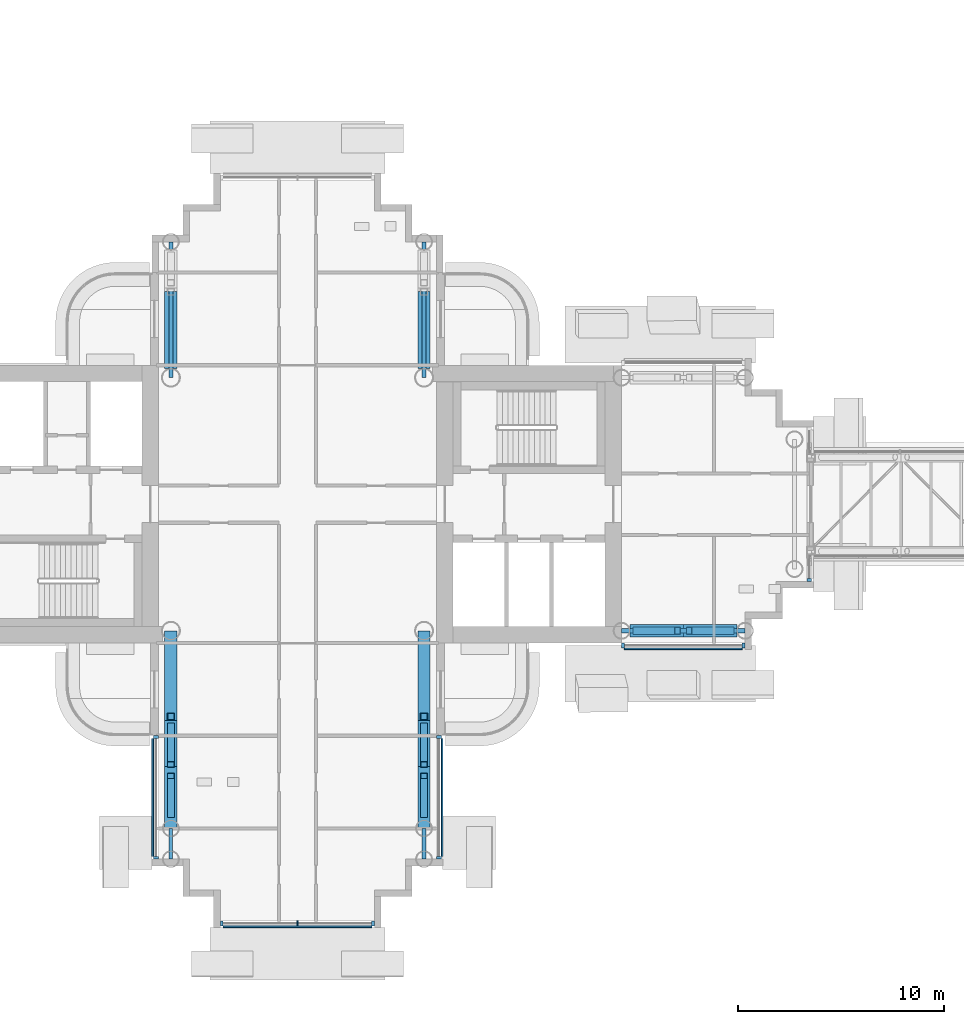
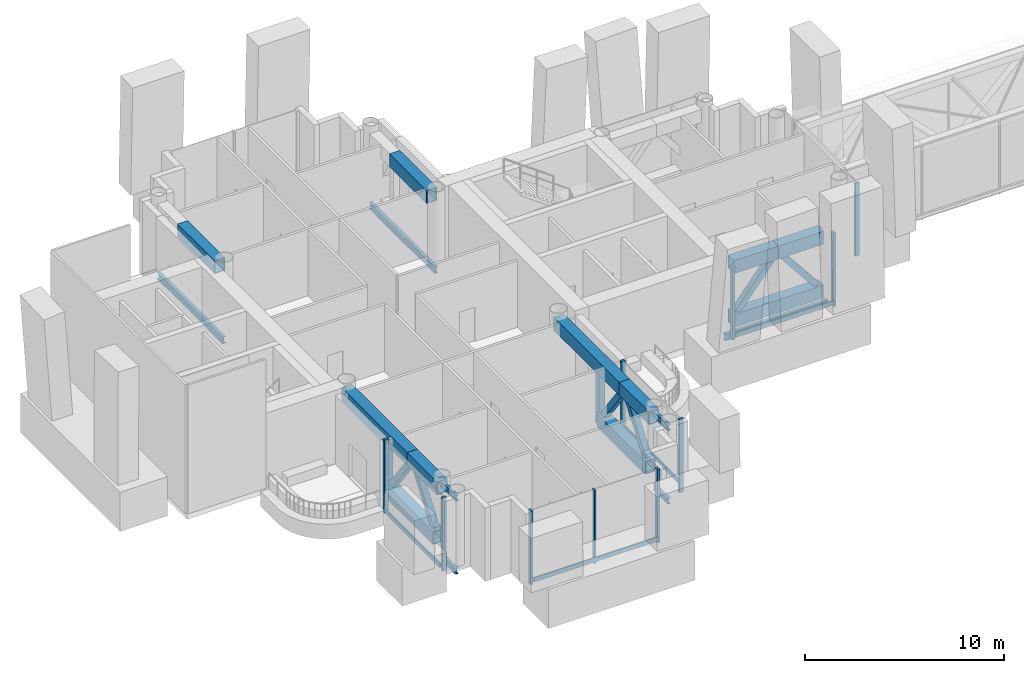
# One storey, part 3 of 26: 29 members, 11 beams, 5 elements without a shape of their own.
"""IFC4 building model written with IfcOpenShell, lengths in metres."""

from ifc_helpers import new_model, si_unit, direction, frame, origin, origin_2d, place, context, subcontext, project, spatial, rectangle, hollow_rectangle, i_section, extrude, material, layer, layer_set, material_profile, profile_set, type_object, element, aggregate, save


model = new_model("IFC4")

# Units and contexts
model_context = context("Model", 3, precision=1e-05, world=origin(), true_north=direction((0.0, 1.0)))
body_context = subcontext(model_context, "Body", "Model", "MODEL_VIEW")
ifc_project = project(units=[si_unit("LENGTHUNIT", "METRE"), si_unit("AREAUNIT", "SQUARE_METRE"), si_unit("VOLUMEUNIT", "CUBIC_METRE"), si_unit("PLANEANGLEUNIT", "RADIAN"), si_unit("MASSUNIT", "GRAM", prefix="KILO")], contexts=[model_context])

# Site, building, storey
site_placement = place(None, origin())
site = spatial("IfcSite", under=ifc_project, at=site_placement, CompositionType="ELEMENT")
building_placement = place(site_placement, origin())
building = spatial("IfcBuilding", under=site, at=building_placement, Name="Ipe Terrace Towers", CompositionType="ELEMENT")
storey_placement = place(building_placement, frame((0.0, 0.0, 181.300048828125)))
storey = spatial("IfcBuildingStorey", under=building, at=storey_placement, Name="L50", CompositionType="ELEMENT", Elevation=181.300048828125)

# Beams
ifc_material_1 = material(Name="Steel S355", Category="steel")
ifc_material_profile_1 = material_profile(ifc_material_1, i_section(OverallWidth=0.175048828125, OverallDepth=0.35009765625, WebThickness=0.007080078125, FlangeThickness=0.010986328125, at=origin_2d()), Name="H-350x175x7x11")
ifc_profile_set_1 = profile_set([ifc_material_profile_1], Name="Steel S355")
beam_type_1 = type_object("IfcBeamType", Name="H04 DECK EDGE BEAM H-350x175x7x11", PredefinedType="BEAM", material=ifc_profile_set_1)
for number, where, z_axis, x_axis, name in (
    (1, (-42.14990234375, -15.75, 3.905029296875), (0.0, -1.0, 0.0), (1.0, 0.0, 0.0), "Deck edge beam T1-TB-D03-D05"),
    (2, (-29.85009765625, -15.75, 3.905029296875), (0.0, -1.0, 0.0), (1.0, 0.0, 0.0), "Deck edge beam T1-TB-D04-D06"),
):
    element("IfcBeam", number, at=place(storey_placement, frame(where, z_axis=z_axis, x_axis=x_axis)), inside=storey, type_object=beam_type_1, Name=name, PredefinedType="BEAM", context=body_context, shape_type="SweptSolid", body=[
        extrude(i_section(OverallWidth=0.175048828125, OverallDepth=0.35009765625, WebThickness=0.007080078125, FlangeThickness=0.010986328125, at=origin_2d()), origin(), (0.0, 0.0, 1.0), 1.5),
    ])
ifc_material_2 = material(Name="Steel S355", Category="steel")
ifc_material_profile_2 = material_profile(ifc_material_2, i_section(OverallWidth=0.175048828125, OverallDepth=0.35009765625, WebThickness=0.007080078125, FlangeThickness=0.010986328125, at=origin_2d()), Name="H-350x175x7x11")
ifc_profile_set_2 = profile_set([ifc_material_profile_2], Name="Steel S355")
beam_type_2 = type_object("IfcBeamType", Name="H04 EDGE BEAM H-350x175x7x11", PredefinedType="BEAM", material=ifc_profile_set_2)
for number, where, z_axis, x_axis, name in (
    (3, (-42.14990234375, -15.75, -0.574951171875), (0.0, -1.0, 0.0), (1.0, 0.0, 0.0), "Edge beam T1-EB-D03-D05"),
    (4, (-29.85009765625, -15.75, -0.574951171875), (0.0, -1.0, 0.0), (1.0, 0.0, 0.0), "Edge beam T1-EB-D04-D06"),
):
    element("IfcBeam", number, at=place(storey_placement, frame(where, z_axis=z_axis, x_axis=x_axis)), inside=storey, type_object=beam_type_2, Name=name, PredefinedType="BEAM", context=body_context, shape_type="SweptSolid", body=[
        extrude(i_section(OverallWidth=0.175048828125, OverallDepth=0.35009765625, WebThickness=0.007080078125, FlangeThickness=0.010986328125, at=origin_2d()), origin(), (0.0, 0.0, 1.0), 1.5),
    ])
ifc_material_3 = material(Name="Steel S355", Category="steel")
ifc_material_profile_3 = material_profile(ifc_material_3, i_section(OverallWidth=0.199951171875, OverallDepth=0.39990234375, WebThickness=0.008056640625, FlangeThickness=0.012939453125, at=origin_2d()), Name="H-400x200x8x13")
ifc_profile_set_3 = profile_set([ifc_material_profile_3], Name="Steel S355")
beam_type_3 = type_object("IfcBeamType", Name="H06 EDGE BEAM H-400x200x8x13", PredefinedType="BEAM", material=ifc_profile_set_3)
beam_1_placement = place(storey_placement, frame((-20.25, -6.14990234375, -0.60009765625), z_axis=(1.0, 0.0, 0.0), x_axis=(0.0, 1.0, 0.0)))
element("IfcBeam", 5, at=beam_1_placement, inside=storey, type_object=beam_type_3, Name="Edge beam T1-EB-A01-A03", PredefinedType="BEAM", context=body_context, shape_type="SweptSolid", body=[
    extrude(i_section(OverallWidth=0.199951171875, OverallDepth=0.39990234375, WebThickness=0.008056640625, FlangeThickness=0.012939453125, at=origin_2d()), origin(), (0.0, 0.0, 1.0), 6.0),
])
for number, where, z_axis, x_axis, name in (
    (6, (-29.85009765625, 12.75, -0.60009765625), (0.0, -1.0, 0.0), (1.0, 0.0, 0.0), "Edge beam T1-EB-B01-E03"),
    (7, (-42.14990234375, 12.75, -0.60009765625), (0.0, -1.0, 0.0), (1.0, 0.0, 0.0), "Edge beam T1-EB-B02-E04"),
):
    element("IfcBeam", number, at=place(storey_placement, frame(where, z_axis=z_axis, x_axis=x_axis)), inside=storey, type_object=beam_type_3, Name=name, PredefinedType="BEAM", context=body_context, shape_type="SweptSolid", body=[
        extrude(i_section(OverallWidth=0.199951171875, OverallDepth=0.39990234375, WebThickness=0.008056640625, FlangeThickness=0.012939453125, at=origin_2d()), origin(), (0.0, 0.0, 1.0), 6.60009765625),
    ])

# Members
ifc_material_4 = material(Name="Steel S355", Category="steel")
ifc_material_profile_4 = material_profile(ifc_material_4, hollow_rectangle(XDim=0.35009765625, YDim=0.35009765625, WallThickness=0.02001953125, at=origin_2d()), Name="OUTRIGGER-BRACE BOX 350x350x20")
ifc_profile_set_4 = profile_set([ifc_material_profile_4], Name="Steel S355")
member_type_1 = type_object("IfcMemberType", Name="OUTRIGGER-BRACE BOX 350x350x20", PredefinedType="BRACE", material=ifc_profile_set_4)
for number, where, z_axis, x_axis, name in (
    (8, (-19.568115234375, -6.14990234375, 0.780029296875), (0.62546299245, 0.0, 0.780253833746), (0.0, 1.0, 0.0), "T1-OR-L50-233 diagonal"),
    (9, (-14.931884765625, -6.14990234375, 0.780029296875), (-0.62546299245, 0.0, 0.780253833746), (0.0, -1.0, 0.0), "T1-OR-L50-234 diagonal"),
):
    element("IfcMember", number, at=place(storey_placement, frame(where, z_axis=z_axis, x_axis=x_axis)), inside=storey, type_object=member_type_1, Name=name, PredefinedType="BRACE", context=body_context, shape_type="SweptSolid", body=[
        extrude(hollow_rectangle(XDim=0.35009765625, YDim=0.35009765625, WallThickness=0.02001953125, at=origin_2d()), origin(), (0.0, 0.0, 1.0), 3.25537109375),
    ])
for number, where, z_axis, x_axis, name in (
    (10, (-29.85009765625, -10.77490234375, 0.780029296875), (0.0, -0.593895203559, 0.804542408571), (1.0, 0.0, 0.0), "T1-OR-L50-248 diagonal"),
    (11, (-29.85009765625, -15.074951171875, 0.780029296875), (0.0, 0.593895203559, 0.804542408571), (-1.0, 0.0, 0.0), "T1-OR-L50-249 diagonal"),
    (12, (-42.14990234375, -10.77490234375, 0.780029296875), (0.0, -0.593895203559, 0.804542408571), (1.0, 0.0, 0.0), "T1-OR-L50-252 diagonal"),
    (13, (-42.14990234375, -15.074951171875, 0.780029296875), (0.0, 0.593895203559, 0.804542408571), (-1.0, 0.0, 0.0), "T1-OR-L50-253 diagonal"),
):
    element("IfcMember", number, at=place(storey_placement, frame(where, z_axis=z_axis, x_axis=x_axis)), inside=storey, type_object=member_type_1, Name=name, PredefinedType="BRACE", context=body_context, shape_type="SweptSolid", body=[
        extrude(hollow_rectangle(XDim=0.35009765625, YDim=0.35009765625, WallThickness=0.02001953125, at=origin_2d()), origin(), (0.0, 0.0, 1.0), 3.1572265625),
    ])
ifc_material_5 = material(Name="Steel S355", Category="steel")
ifc_material_profile_5 = material_profile(ifc_material_5, hollow_rectangle(XDim=0.60009765625, YDim=0.800048828125, WallThickness=0.0400390625, at=origin_2d()), Name="OUTRIGGER-CHORD BOX 600x800x40")
ifc_profile_set_5 = profile_set([ifc_material_profile_5], Name="Steel S355")
member_type_2 = type_object("IfcMemberType", Name="OUTRIGGER-CHORD BOX 600x800x40", PredefinedType="CHORD", material=ifc_profile_set_5)
member_1_placement = place(storey_placement, frame((-19.85009765625, -6.14990234375, 0.39990234375), z_axis=(1.0, 0.0, 0.0), x_axis=(0.0, 1.0, 0.0)))
element("IfcMember", 14, at=member_1_placement, inside=storey, type_object=member_type_2, Name="T1-OR-L50-232 bottom chord", PredefinedType="CHORD", context=body_context, shape_type="SweptSolid", body=[
    extrude(hollow_rectangle(XDim=0.60009765625, YDim=0.800048828125, WallThickness=0.0400390625, at=origin_2d()), origin(), (0.0, 0.0, 1.0), 5.2001953125),
])
for number, where, z_axis, x_axis, name in (
    (15, (-19.85009765625, -6.14990234375, 3.699951171875), (1.0, 0.0, 0.0), (0.0, 1.0, 0.0), "T1-OR-L50-235 top chord"),
    (16, (-17.25, -6.14990234375, 3.699951171875), (1.0, 0.0, 0.0), (0.0, 1.0, 0.0), "T1-OR-L50-236 top chord"),
):
    element("IfcMember", number, at=place(storey_placement, frame(where, z_axis=z_axis, x_axis=x_axis)), inside=storey, type_object=member_type_2, Name=name, PredefinedType="CHORD", context=body_context, shape_type="SweptSolid", body=[
        extrude(hollow_rectangle(XDim=0.60009765625, YDim=0.800048828125, WallThickness=0.0400390625, at=origin_2d()), origin(), (0.0, 0.0, 1.0), 2.60009765625),
    ])
for number, where, z_axis, x_axis, name in (
    (17, (-42.14990234375, 6.60009765625, 3.699951171875), (0.0, 1.0, 0.0), (-1.0, 0.0, 0.0), "T1-OR-L50-240 top chord"),
    (18, (-29.85009765625, 6.60009765625, 3.699951171875), (0.0, 1.0, 0.0), (-1.0, 0.0, 0.0), "T1-OR-L50-245 top chord"),
):
    element("IfcMember", number, at=place(storey_placement, frame(where, z_axis=z_axis, x_axis=x_axis)), inside=storey, type_object=member_type_2, Name=name, PredefinedType="CHORD", context=body_context, shape_type="SweptSolid", body=[
        extrude(hollow_rectangle(XDim=0.60009765625, YDim=0.800048828125, WallThickness=0.0400390625, at=origin_2d()), origin(), (0.0, 0.0, 1.0), 3.724853515625),
    ])
for number, where, z_axis, x_axis, name in (
    (19, (-29.85009765625, -10.5, 0.39990234375), (0.0, -1.0, 0.0), (1.0, 0.0, 0.0), "T1-OR-L50-247 bottom chord"),
    (20, (-42.14990234375, -10.5, 0.39990234375), (0.0, -1.0, 0.0), (1.0, 0.0, 0.0), "T1-OR-L50-251 bottom chord"),
):
    element("IfcMember", number, at=place(storey_placement, frame(where, z_axis=z_axis, x_axis=x_axis)), inside=storey, type_object=member_type_2, Name=name, PredefinedType="CHORD", context=body_context, shape_type="SweptSolid", body=[
        extrude(hollow_rectangle(XDim=0.60009765625, YDim=0.800048828125, WallThickness=0.0400390625, at=origin_2d()), origin(), (0.0, 0.0, 1.0), 4.85009765625),
    ])
ifc_material_6 = material(Name="Steel S355", Category="steel")
ifc_material_profile_6 = material_profile(ifc_material_6, hollow_rectangle(XDim=0.35009765625, YDim=0.35009765625, WallThickness=0.02001953125, at=origin_2d()), Name="OUTRIGGER-POST BOX 350x350x20")
ifc_profile_set_6 = profile_set([ifc_material_profile_6], Name="Steel S355")
member_type_3 = type_object("IfcMemberType", Name="OUTRIGGER-POST BOX 350x350x20", PredefinedType="POST", material=ifc_profile_set_6)
for number, where, z_axis, x_axis, name in (
    (21, (-29.85009765625, -10.324951171875, 0.0), (0.0, 0.0, 1.0), (1.0, 0.0, 0.0), "T1-OR-L50-250 post"),
    (22, (-42.14990234375, -10.324951171875, 0.0), (0.0, 0.0, 1.0), (1.0, 0.0, 0.0), "T1-OR-L50-254 post"),
):
    element("IfcMember", number, at=place(storey_placement, frame(where, z_axis=z_axis, x_axis=x_axis)), inside=storey, type_object=member_type_3, Name=name, PredefinedType="POST", context=body_context, shape_type="SweptSolid", body=[
        extrude(hollow_rectangle(XDim=0.35009765625, YDim=0.35009765625, WallThickness=0.02001953125, at=origin_2d()), origin(), (0.0, 0.0, 1.0), 3.300048828125),
    ])

# Curtain wall, members
ifc_material_7 = material(Name="Aluminium alloy 6063-T6", Category="aluminium")
ifc_layer = layer(ifc_material_7, 0.320068359375)
ifc_layer_set = layer_set([ifc_layer], Name="REFUGE FLOOR CURTAIN WALL")
curtain_wall_type = type_object("IfcCurtainWallType", Name="REFUGE FLOOR CURTAIN WALL", PredefinedType="NOTDEFINED", material=ifc_layer_set)
curtain_wall_1_placement = place(storey_placement, origin())
curtain_wall_1 = element("IfcCurtainWall", 23, at=curtain_wall_1_placement, inside=storey, type_object=curtain_wall_type, Name="T1-CW-L50-03a curtain wall", PredefinedType="NOTDEFINED")
ifc_material_8 = material(Name="Aluminium alloy 6063-T6", Category="aluminium")
ifc_material_profile_7 = material_profile(ifc_material_8, rectangle(XDim=0.239990234375, YDim=0.139892578125, at=origin_2d()), Name="REFUGE FLOOR CORNER MULLION 240 x 140")
ifc_profile_set_7 = profile_set([ifc_material_profile_7], Name="Aluminium alloy 6063-T6")
member_type_4 = type_object("IfcMemberType", Name="REFUGE FLOOR CORNER MULLION 240 x 140", PredefinedType="MULLION", material=ifc_profile_set_7)
member_2_placement = place(storey_placement, frame((-42.8701171875, -11.320068359375, -0.300048828125), z_axis=(0.0, 0.0, 1.0), x_axis=(-1.0, 0.0, 0.0)))
member_2 = element("IfcMember", 24, at=member_2_placement, type_object=member_type_4, Name="T1-CW-L50-03a mullion 1", PredefinedType="MULLION", context=body_context, shape_type="SweptSolid", body=[
    extrude(rectangle(XDim=0.239990234375, YDim=0.139892578125, at=origin_2d()), origin(), (0.0, 0.0, 1.0), 4.5),
])
member_3_placement = place(storey_placement, frame((-42.8701171875, -17.179931640625, -0.300048828125), z_axis=(0.0, 0.0, 1.0), x_axis=(-1.0, 0.0, 0.0)))
member_3 = element("IfcMember", 25, at=member_3_placement, type_object=member_type_4, Name="T1-CW-L50-03a mullion 2", PredefinedType="MULLION", context=body_context, shape_type="SweptSolid", body=[
    extrude(rectangle(XDim=0.239990234375, YDim=0.139892578125, at=origin_2d()), origin(), (0.0, 0.0, 1.0), 4.5),
])

curtain_wall_2_placement = place(storey_placement, origin())
curtain_wall_2 = element("IfcCurtainWall", 26, at=curtain_wall_2_placement, inside=storey, type_object=curtain_wall_type, Name="T1-CW-L50-08a curtain wall", PredefinedType="NOTDEFINED")
member_4_placement = place(storey_placement, frame((-39.679931640625, -20.3701171875, -0.300048828125), z_axis=(0.0, 0.0, 1.0), x_axis=(0.0, -1.0, 0.0)))
member_4 = element("IfcMember", 27, at=member_4_placement, type_object=member_type_4, Name="T1-CW-L50-08a mullion 1", PredefinedType="MULLION", context=body_context, shape_type="SweptSolid", body=[
    extrude(rectangle(XDim=0.239990234375, YDim=0.139892578125, at=origin_2d()), origin(), (0.0, 0.0, 1.0), 4.5),
])
member_5_placement = place(storey_placement, frame((-32.320068359375, -20.3701171875, -0.300048828125), z_axis=(0.0, 0.0, 1.0), x_axis=(0.0, -1.0, 0.0)))
member_5 = element("IfcMember", 28, at=member_5_placement, type_object=member_type_4, Name="T1-CW-L50-08a mullion 3", PredefinedType="MULLION", context=body_context, shape_type="SweptSolid", body=[
    extrude(rectangle(XDim=0.239990234375, YDim=0.139892578125, at=origin_2d()), origin(), (0.0, 0.0, 1.0), 4.5),
])

curtain_wall_3_placement = place(storey_placement, origin())
curtain_wall_3 = element("IfcCurtainWall", 29, at=curtain_wall_3_placement, inside=storey, type_object=curtain_wall_type, Name="T1-CW-L50-13a curtain wall", PredefinedType="NOTDEFINED")
member_6_placement = place(storey_placement, frame((-29.1298828125, -17.179931640625, -0.300048828125), z_axis=(0.0, 0.0, 1.0), x_axis=(1.0, 0.0, 0.0)))
member_6 = element("IfcMember", 30, at=member_6_placement, type_object=member_type_4, Name="T1-CW-L50-13a mullion 1", PredefinedType="MULLION", context=body_context, shape_type="SweptSolid", body=[
    extrude(rectangle(XDim=0.239990234375, YDim=0.139892578125, at=origin_2d()), origin(), (0.0, 0.0, 1.0), 4.5),
])
member_7_placement = place(storey_placement, frame((-29.1298828125, -11.320068359375, -0.300048828125), z_axis=(0.0, 0.0, 1.0), x_axis=(1.0, 0.0, 0.0)))
member_7 = element("IfcMember", 31, at=member_7_placement, type_object=member_type_4, Name="T1-CW-L50-13a mullion 2", PredefinedType="MULLION", context=body_context, shape_type="SweptSolid", body=[
    extrude(rectangle(XDim=0.239990234375, YDim=0.139892578125, at=origin_2d()), origin(), (0.0, 0.0, 1.0), 4.5),
])

curtain_wall_4_placement = place(storey_placement, origin())
curtain_wall_4 = element("IfcCurtainWall", 32, at=curtain_wall_4_placement, inside=storey, type_object=curtain_wall_type, Name="T1-CW-L50-16b curtain wall", PredefinedType="NOTDEFINED")
member_8_placement = place(storey_placement, frame((-20.178955078125, -6.8701171875, -0.300048828125), z_axis=(0.0, 0.0, 1.0), x_axis=(0.0, -1.0, 0.0)))
member_8 = element("IfcMember", 33, at=member_8_placement, type_object=member_type_4, Name="T1-CW-L50-16b mullion 1", PredefinedType="MULLION", context=body_context, shape_type="SweptSolid", body=[
    extrude(rectangle(XDim=0.239990234375, YDim=0.139892578125, at=origin_2d()), origin(), (0.0, 0.0, 1.0), 4.5),
])
member_9_placement = place(storey_placement, frame((-14.320068359375, -6.8701171875, -0.300048828125), z_axis=(0.0, 0.0, 1.0), x_axis=(0.0, -1.0, 0.0)))
member_9 = element("IfcMember", 34, at=member_9_placement, type_object=member_type_4, Name="T1-CW-L50-16b mullion 2", PredefinedType="MULLION", context=body_context, shape_type="SweptSolid", body=[
    extrude(rectangle(XDim=0.239990234375, YDim=0.139892578125, at=origin_2d()), origin(), (0.0, 0.0, 1.0), 4.5),
])

# Curtain wall, member
curtain_wall_5_placement = place(storey_placement, origin())
curtain_wall_5 = element("IfcCurtainWall", 35, at=curtain_wall_5_placement, inside=storey, type_object=curtain_wall_type, Name="T1-CW-L50-21a curtain wall", PredefinedType="NOTDEFINED")
member_10_placement = place(storey_placement, frame((-11.1298828125, -3.679931640625, -0.300048828125), z_axis=(0.0, 0.0, 1.0), x_axis=(1.0, 0.0, 0.0)))
member_10 = element("IfcMember", 36, at=member_10_placement, type_object=member_type_4, Name="T1-CW-L50-21a mullion 1", PredefinedType="MULLION", context=body_context, shape_type="SweptSolid", body=[
    extrude(rectangle(XDim=0.239990234375, YDim=0.139892578125, at=origin_2d()), origin(), (0.0, 0.0, 1.0), 4.5),
])
aggregate(curtain_wall_5, [member_10])

# Member
ifc_material_9 = material(Name="Aluminium alloy 6063-T6", Category="aluminium")
ifc_material_profile_8 = material_profile(ifc_material_9, rectangle(XDim=0.239990234375, YDim=0.074951171875, at=origin_2d()), Name="REFUGE FLOOR MULLION 240 x 75")
ifc_profile_set_8 = profile_set([ifc_material_profile_8], Name="Aluminium alloy 6063-T6")
member_type_5 = type_object("IfcMemberType", Name="REFUGE FLOOR MULLION 240 x 75", PredefinedType="MULLION", material=ifc_profile_set_8)
member_11_placement = place(storey_placement, frame((-36.0, -20.3701171875, -0.300048828125), z_axis=(0.0, 0.0, 1.0), x_axis=(0.0, -1.0, 0.0)))
member_11 = element("IfcMember", 37, at=member_11_placement, type_object=member_type_5, Name="T1-CW-L50-08a mullion 2", PredefinedType="MULLION", context=body_context, shape_type="SweptSolid", body=[
    extrude(rectangle(XDim=0.239990234375, YDim=0.074951171875, at=origin_2d()), origin(), (0.0, 0.0, 1.0), 4.5),
])

ifc_material_10 = material(Name="Aluminium alloy 6063-T6", Category="aluminium")
ifc_material_profile_9 = material_profile(ifc_material_10, rectangle(XDim=0.080078125, YDim=0.260009765625, at=origin_2d()), Name="REFUGE FLOOR TRANSOM 80 x 260")
ifc_profile_set_9 = profile_set([ifc_material_profile_9], Name="Aluminium alloy 6063-T6")
member_type_6 = type_object("IfcMemberType", Name="REFUGE FLOOR TRANSOM 80 x 260", PredefinedType="USERDEFINED", material=ifc_profile_set_9)
member_12_placement = place(storey_placement, frame((-43.030029296875, -11.389892578125, 0.0), z_axis=(0.0, -1.0, 0.0), x_axis=(-1.0, 0.0, 0.0)))
member_12 = element("IfcMember", 38, at=member_12_placement, type_object=member_type_6, Name="T1-CW-L50-03a transom", ObjectType="TRANSOM", PredefinedType="USERDEFINED", context=body_context, shape_type="SweptSolid", body=[
    extrude(rectangle(XDim=0.080078125, YDim=0.260009765625, at=origin_2d()), origin(), (0.0, 0.0, 1.0), 5.72021484375),
])

aggregate(curtain_wall_1, [member_2, member_3, member_12])

member_13_placement = place(storey_placement, frame((-39.610107421875, -20.530029296875, 0.0), z_axis=(1.0, 0.0, 0.0), x_axis=(0.0, -1.0, 0.0)))
member_13 = element("IfcMember", 39, at=member_13_placement, type_object=member_type_6, Name="T1-CW-L50-08a transom", ObjectType="TRANSOM", PredefinedType="USERDEFINED", context=body_context, shape_type="SweptSolid", body=[
    extrude(rectangle(XDim=0.080078125, YDim=0.260009765625, at=origin_2d()), origin(), (0.0, 0.0, 1.0), 7.22021484375),
])

aggregate(curtain_wall_2, [member_4, member_11, member_5, member_13])

member_14_placement = place(storey_placement, frame((-28.969970703125, -17.110107421875, 0.0), z_axis=(0.0, 1.0, 0.0), x_axis=(1.0, 0.0, 0.0)))
member_14 = element("IfcMember", 40, at=member_14_placement, type_object=member_type_6, Name="T1-CW-L50-13a transom", ObjectType="TRANSOM", PredefinedType="USERDEFINED", context=body_context, shape_type="SweptSolid", body=[
    extrude(rectangle(XDim=0.080078125, YDim=0.260009765625, at=origin_2d()), origin(), (0.0, 0.0, 1.0), 5.72021484375),
])

aggregate(curtain_wall_3, [member_6, member_7, member_14])

member_15_placement = place(storey_placement, frame((-20.10888671875, -7.030029296875, 0.0), z_axis=(1.0, 0.0, 0.0), x_axis=(0.0, -1.0, 0.0)))
member_15 = element("IfcMember", 41, at=member_15_placement, type_object=member_type_6, Name="T1-CW-L50-16b transom", ObjectType="TRANSOM", PredefinedType="USERDEFINED", context=body_context, shape_type="SweptSolid", body=[
    extrude(rectangle(XDim=0.080078125, YDim=0.260009765625, at=origin_2d()), origin(), (0.0, 0.0, 1.0), 5.718994140625),
])

aggregate(curtain_wall_4, [member_8, member_9, member_15])

# Beams
ifc_material_11 = material(Name="Steel S355", Category="steel")
ifc_material_profile_10 = material_profile(ifc_material_11, hollow_rectangle(XDim=0.60009765625, YDim=0.800048828125, WallThickness=0.0400390625, at=origin_2d()), Name="BOX-800x600x40")
ifc_profile_set_10 = profile_set([ifc_material_profile_10], Name="Steel S355")
beam_type_4 = type_object("IfcBeamType", Name="TG1 TRANSFER GIRDER BOX-800x600x40", PredefinedType="BEAM", material=ifc_profile_set_10)
beam_2_placement = place(storey_placement, frame((-42.14990234375, -6.14990234375, 3.679931640625), z_axis=(0.0, -1.0, 0.0), x_axis=(1.0, 0.0, 0.0)))
element("IfcBeam", 42, at=beam_2_placement, inside=storey, type_object=beam_type_4, Name="Transfer girder T1-TG-D01-E01", PredefinedType="BEAM", context=body_context, shape_type="SweptSolid", body=[
    extrude(hollow_rectangle(XDim=0.60009765625, YDim=0.800048828125, WallThickness=0.0400390625, at=origin_2d()), origin(), (0.0, 0.0, 1.0), 6.60009765625),
])
beam_3_placement = place(storey_placement, frame((-42.14990234375, -12.75, 3.679931640625), z_axis=(0.0, -1.0, 0.0), x_axis=(1.0, 0.0, 0.0)))
element("IfcBeam", 43, at=beam_3_placement, inside=storey, type_object=beam_type_4, Name="Transfer girder T1-TG-D01-D03", PredefinedType="BEAM", context=body_context, shape_type="SweptSolid", body=[
    extrude(hollow_rectangle(XDim=0.60009765625, YDim=0.800048828125, WallThickness=0.0400390625, at=origin_2d()), origin(), (0.0, 0.0, 1.0), 3.0),
])
beam_4_placement = place(storey_placement, frame((-29.85009765625, -6.14990234375, 3.679931640625), z_axis=(0.0, -1.0, 0.0), x_axis=(1.0, 0.0, 0.0)))
element("IfcBeam", 44, at=beam_4_placement, inside=storey, type_object=beam_type_4, Name="Transfer girder T1-TG-D02-E02", PredefinedType="BEAM", context=body_context, shape_type="SweptSolid", body=[
    extrude(hollow_rectangle(XDim=0.60009765625, YDim=0.800048828125, WallThickness=0.0400390625, at=origin_2d()), origin(), (0.0, 0.0, 1.0), 6.60009765625),
])
beam_5_placement = place(storey_placement, frame((-29.85009765625, -12.75, 3.679931640625), z_axis=(0.0, -1.0, 0.0), x_axis=(1.0, 0.0, 0.0)))
element("IfcBeam", 45, at=beam_5_placement, inside=storey, type_object=beam_type_4, Name="Transfer girder T1-TG-D02-D04", PredefinedType="BEAM", context=body_context, shape_type="SweptSolid", body=[
    extrude(hollow_rectangle(XDim=0.60009765625, YDim=0.800048828125, WallThickness=0.0400390625, at=origin_2d()), origin(), (0.0, 0.0, 1.0), 3.0),
])

save(model, "model.ifc")
